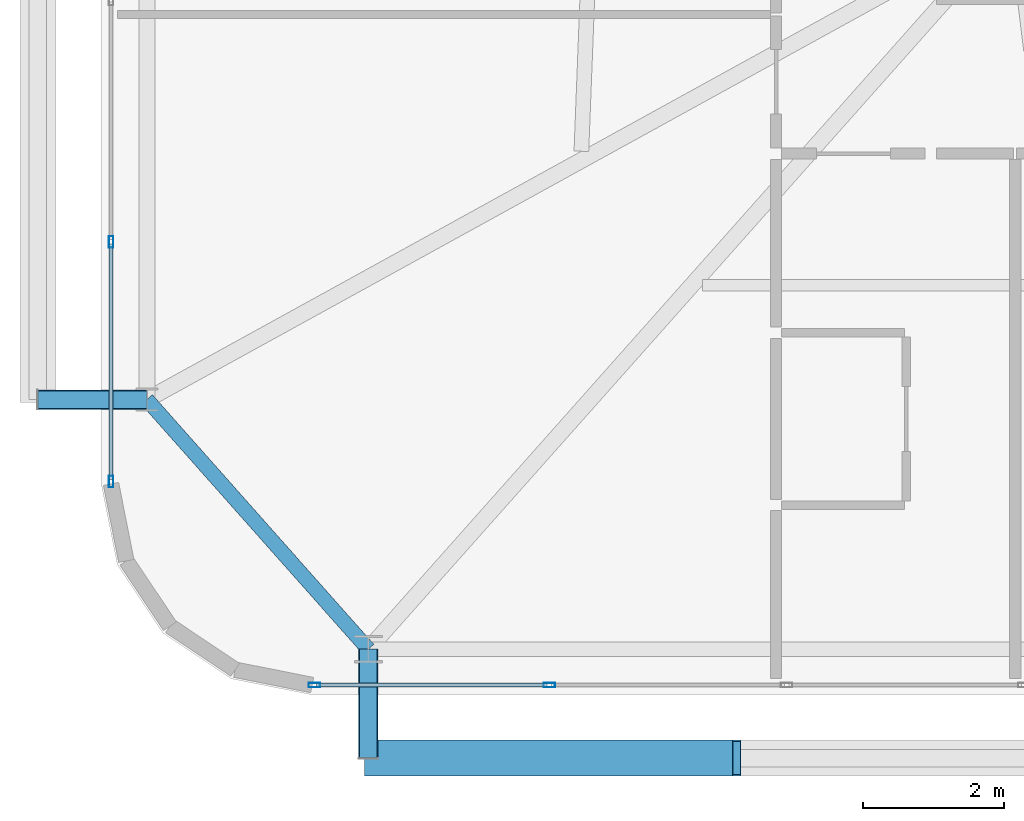
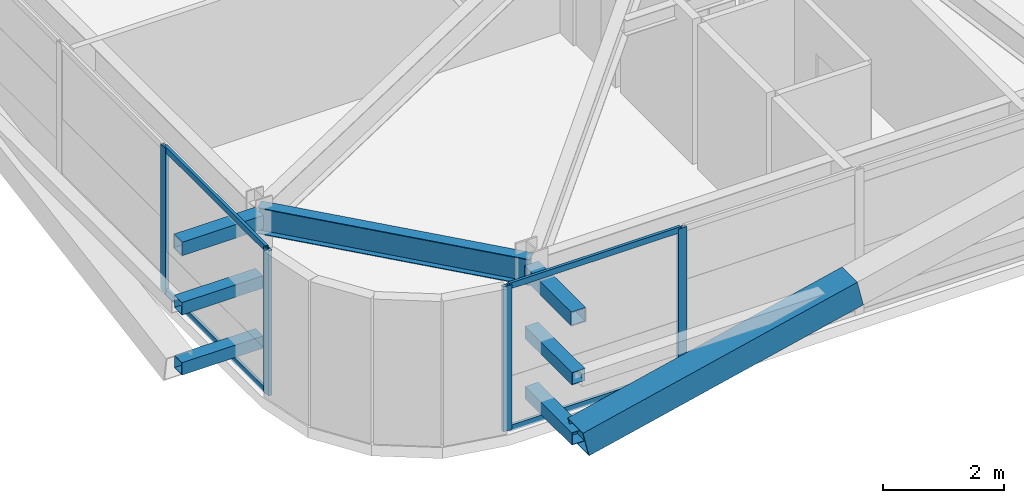
# One storey, part 5 of 59: 15 members, 1 beam, 2 elements without a shape of their own.
"""IFC4 building model written with IfcOpenShell, lengths in metres."""

from ifc_helpers import new_model, si_unit, direction, frame, origin, origin_2d, place, context, subcontext, project, spatial, hollow_rectangle, i_section, extrude, source, transform, mapped, material, layer, layer_set, material_profile, profile_set, type_object, element, aggregate, save


model = new_model("IFC4")

# Units and contexts
model_context = context("Model", 3, precision=1e-05, world=origin(), true_north=direction((0.0, 1.0)))
body_context = subcontext(model_context, "Body", "Model", "MODEL_VIEW")
ifc_project = project(units=[si_unit("LENGTHUNIT", "METRE"), si_unit("AREAUNIT", "SQUARE_METRE"), si_unit("VOLUMEUNIT", "CUBIC_METRE"), si_unit("PLANEANGLEUNIT", "RADIAN"), si_unit("MASSUNIT", "GRAM", prefix="KILO")], contexts=[model_context])

# Site, building, storey
site_placement = place(None, origin())
site = spatial("IfcSite", under=ifc_project, at=site_placement, CompositionType="ELEMENT")
building_placement = place(site_placement, origin())
building = spatial("IfcBuilding", under=site, at=building_placement, Name="Taldren Reach Tower", CompositionType="ELEMENT")
storey_placement = place(building_placement, frame((0.0, 0.0, 29.39990234375)))
storey = spatial("IfcBuildingStorey", under=building, at=storey_placement, Name="L08", CompositionType="ELEMENT", Elevation=29.39990234375)

# Beam
ifc_material_1 = material(Name="Steel Gr 350 (350PLUS)", Category="steel")
ifc_material_profile_1 = material_profile(ifc_material_1, i_section(OverallWidth=0.208984375, OverallDepth=0.528076171875, WebThickness=0.009521484375, FlangeThickness=0.01318359375, at=origin_2d()), Name="530UB82.0")
ifc_profile_set_1 = profile_set([ifc_material_profile_1], Name="Steel Gr 350 (350PLUS)")
beam_type = type_object("IfcBeamType", Name="SP-UB530B", PredefinedType="SPANDREL", material=ifc_profile_set_1)
shared_shape_1 = source(origin(), body_context, "Body", "SweptSolid", [
    extrude(i_section(OverallWidth=0.208984375, OverallDepth=0.528076171875, WebThickness=0.009521484375, FlangeThickness=0.01318359375, at=origin_2d()), origin(), (0.0, 0.0, 1.0), 4.74609375),
])
beam_placement = place(storey_placement, frame((5.64990234375, 5.699951171875, 2.666015625), z_axis=(0.663721843779, -0.747979487747, 0.0), x_axis=(0.747979487747, 0.663721843779, 0.0)))
element("IfcBeam", 1, at=beam_placement, inside=storey, type_object=beam_type, Name="Perimeter spandrel B1 W1-S1 L08", PredefinedType="SPANDREL", context=body_context, shape_type="MappedRepresentation", body=[
    mapped(shared_shape_1, transform((0.0, 0.0, 0.0), scale=1.0)),
])

# Members
ifc_material_2 = material(Name="Steel Gr 450 (C450L0)", Category="steel")
ifc_material_profile_2 = material_profile(ifc_material_2, hollow_rectangle(XDim=0.27490234375, YDim=0.27490234375, WallThickness=0.00927734375, at=origin_2d()), Name="275x275x9.3SHS")
ifc_profile_set_2 = profile_set([ifc_material_profile_2], Name="Steel Gr 450 (C450L0)")
member_type_1 = type_object("IfcMemberType", Name="MB-TIE273", PredefinedType="STRUT", material=ifc_profile_set_2)
shared_shape_2 = source(origin(), body_context, "Body", "SweptSolid", [
    extrude(hollow_rectangle(XDim=0.27490234375, YDim=0.27490234375, WallThickness=0.00927734375, at=origin_2d()), origin(), (0.0, 0.0, 1.0), 1.5498046875),
])
for number, where, z_axis, x_axis, name in (
    (2, (8.800048828125, 2.14990234375, 2.650146484375), (0.0, -1.0, 0.0), (1.0, 0.0, 0.0), "Exoskeleton diaphragm tie strut B1-S1 L08"),
    (3, (5.64990234375, 5.699951171875, 2.650146484375), (-1.0, 0.0, 0.0), (0.0, -1.0, 0.0), "Exoskeleton diaphragm tie strut B1-W1 L08"),
):
    element("IfcMember", number, at=place(storey_placement, frame(where, z_axis=z_axis, x_axis=x_axis)), inside=storey, type_object=member_type_1, Name=name, PredefinedType="STRUT", context=body_context, shape_type="MappedRepresentation", body=[
        mapped(shared_shape_2, transform((0.0, 0.0, 0.0), scale=1.0)),
    ])
ifc_material_profile_3 = material_profile(ifc_material_2, hollow_rectangle(XDim=0.510009765625, YDim=0.510009765625, WallThickness=0.02001953125, at=origin_2d()), Name="510x510x20.0SHS")
ifc_profile_set_3 = profile_set([ifc_material_profile_3], Name="Steel Gr 450 (C450L0)")
member_type_2 = type_object("IfcMemberType", Name="MB-EXO508", PredefinedType="BRACE", material=ifc_profile_set_3)
shared_shape_3 = source(origin(), body_context, "Body", "SweptSolid", [
    extrude(hollow_rectangle(XDim=0.510009765625, YDim=0.510009765625, WallThickness=0.02001953125, at=origin_2d()), origin(), (0.0, 0.0, 1.0), 5.37890625),
])
member_1_placement = place(storey_placement, frame((8.800048828125, 0.60009765625, 0.22021484375), z_axis=(0.974161966843, 0.0, 0.225850531007), x_axis=(0.0, 1.0, 0.0)))
element("IfcMember", 4, at=member_1_placement, inside=storey, type_object=member_type_2, Name="Exoskeleton Diagrid Brace B1-S1 L08", PredefinedType="BRACE", context=body_context, shape_type="MappedRepresentation", body=[
    mapped(shared_shape_3, transform((0.0, 0.0, 0.0), scale=1.0)),
])
ifc_material_3 = material(Name="Steel Gr 350 (C350L0)", Category="steel")
ifc_material_profile_4 = material_profile(ifc_material_3, hollow_rectangle(XDim=0.25, YDim=0.25, WallThickness=0.010009765625, at=origin_2d()), Name="250x250x10.0SHS")
ifc_profile_set_4 = profile_set([ifc_material_profile_4], Name="Steel Gr 350 (C350L0)")
member_type_3 = type_object("IfcMemberType", Name="MB-POST250", PredefinedType="POST", material=ifc_profile_set_4)
shared_shape_4 = source(origin(), body_context, "Body", "SweptSolid", [
    extrude(hollow_rectangle(XDim=0.25, YDim=0.25, WallThickness=0.010009765625, at=origin_2d()), origin(), (0.0, 0.0, 1.0), 1.5498046875),
])
for number, where, z_axis, x_axis, name in (
    (5, (8.800048828125, 2.14990234375, 0.22021484375), (0.0, -1.0, 0.0), (1.0, 0.0, 0.0), "Exoskeleton base diaphragm tie strut B1-S1 L08"),
    (6, (5.64990234375, 5.699951171875, 0.22021484375), (-1.0, 0.0, 0.0), (0.0, -1.0, 0.0), "Exoskeleton base diaphragm tie strut B1-W1 L08"),
    (7, (8.800048828125, 2.14990234375, 1.43505859375), (0.0, -1.0, 0.0), (1.0, 0.0, 0.0), "Exoskeleton mid-tier diaphragm tie B1-S1 L08"),
    (8, (5.64990234375, 5.699951171875, 1.43505859375), (-1.0, 0.0, 0.0), (0.0, -1.0, 0.0), "Exoskeleton mid-tier diaphragm tie B1-W1 L08"),
):
    element("IfcMember", number, at=place(storey_placement, frame(where, z_axis=z_axis, x_axis=x_axis)), inside=storey, type_object=member_type_3, Name=name, PredefinedType="POST", context=body_context, shape_type="MappedRepresentation", body=[
        mapped(shared_shape_4, transform((0.0, 0.0, 0.0), scale=1.0)),
    ])

# Curtain wall, members
ifc_material_4 = material(Name="Aluminium and Low-E Glass Unitised System", Category="aluminium")
ifc_layer = layer(ifc_material_4, 0.159912109375)
ifc_layer_set = layer_set([ifc_layer], Name="Aluminium and Low-E Glass Unitised System")
curtain_wall_type = type_object("IfcCurtainWallType", Name="CW-SYS-2", PredefinedType="NOTDEFINED", material=ifc_layer_set)
curtain_wall_1_placement = place(storey_placement, origin())
curtain_wall_1 = element("IfcCurtainWall", 9, at=curtain_wall_1_placement, inside=storey, type_object=curtain_wall_type, Name="Unitised curtain wall CW-L08-S", PredefinedType="NOTDEFINED")
ifc_material_5 = material(Name="Anodised Aluminium 6063-T6", Category="aluminium")
ifc_material_profile_5 = material_profile(ifc_material_5, hollow_rectangle(XDim=0.054931640625, YDim=0.1201171875, WallThickness=0.0029296875, at=origin_2d()), Name="ALU-120x55x3RHS")
ifc_profile_set_5 = profile_set([ifc_material_profile_5], Name="Anodised Aluminium 6063-T6")
member_type_4 = type_object("IfcMemberType", Name="CW-TRN-135", PredefinedType="USERDEFINED", material=ifc_profile_set_5)
shared_shape_5 = source(origin(), body_context, "Body", "SweptSolid", [
    extrude(hollow_rectangle(XDim=0.054931640625, YDim=0.1201171875, WallThickness=0.0029296875, at=origin_2d()), origin(), (0.0, 0.0, 1.0), 3.277587890625),
])
member_2_placement = place(storey_placement, frame((8.06494140625, 1.639892578125, 0.027587890625), z_axis=(1.0, 0.0, 0.0), x_axis=(0.0, 1.0, 0.0)))
member_2 = element("IfcMember", 10, at=member_2_placement, type_object=member_type_4, Name="CW-2 transom 1.1", ObjectType="TRANSOM", PredefinedType="USERDEFINED", context=body_context, shape_type="MappedRepresentation", body=[
    mapped(shared_shape_5, transform((0.0, 0.0, 0.0), scale=1.0)),
])
member_3_placement = place(storey_placement, frame((8.06494140625, 1.639892578125, 2.902587890625), z_axis=(1.0, 0.0, 0.0), x_axis=(0.0, 1.0, 0.0)))
member_3 = element("IfcMember", 11, at=member_3_placement, type_object=member_type_4, Name="CW-2 transom 1.2", ObjectType="TRANSOM", PredefinedType="USERDEFINED", context=body_context, shape_type="MappedRepresentation", body=[
    mapped(shared_shape_5, transform((0.0, 0.0, 0.0), scale=1.0)),
])

curtain_wall_2_placement = place(storey_placement, origin())
curtain_wall_2 = element("IfcCurtainWall", 12, at=curtain_wall_2_placement, inside=storey, type_object=curtain_wall_type, Name="Unitised curtain wall CW-L08-W", PredefinedType="NOTDEFINED")
shared_shape_6 = source(origin(), body_context, "Body", "SweptSolid", [
    extrude(hollow_rectangle(XDim=0.054931640625, YDim=0.1201171875, WallThickness=0.0029296875, at=origin_2d()), origin(), (0.0, 0.0, 1.0), 3.346923828125),
])
member_4_placement = place(storey_placement, frame((5.139892578125, 7.911865234375, 0.027587890625), z_axis=(0.0, -1.0, 0.0), x_axis=(1.0, 0.0, 0.0)))
member_4 = element("IfcMember", 13, at=member_4_placement, type_object=member_type_4, Name="CW-2 transom 9.1", ObjectType="TRANSOM", PredefinedType="USERDEFINED", context=body_context, shape_type="MappedRepresentation", body=[
    mapped(shared_shape_6, transform((0.0, 0.0, 0.0), scale=1.0)),
])
member_5_placement = place(storey_placement, frame((5.139892578125, 7.911865234375, 2.902587890625), z_axis=(0.0, -1.0, 0.0), x_axis=(1.0, 0.0, 0.0)))
member_5 = element("IfcMember", 14, at=member_5_placement, type_object=member_type_4, Name="CW-2 transom 9.2", ObjectType="TRANSOM", PredefinedType="USERDEFINED", context=body_context, shape_type="MappedRepresentation", body=[
    mapped(shared_shape_6, transform((0.0, 0.0, 0.0), scale=1.0)),
])

# Member
ifc_material_profile_6 = material_profile(ifc_material_5, hollow_rectangle(XDim=0.06494140625, YDim=0.1650390625, WallThickness=0.00390625, at=origin_2d()), Name="ALU-165x65x4RHS")
ifc_profile_set_6 = profile_set([ifc_material_profile_6], Name="Anodised Aluminium 6063-T6")
member_type_5 = type_object("IfcMemberType", Name="CW-MUL-165", PredefinedType="MULLION", material=ifc_profile_set_6)
shared_shape_7 = source(origin(), body_context, "Body", "SweptSolid", [
    extrude(hollow_rectangle(XDim=0.06494140625, YDim=0.1650390625, WallThickness=0.00390625, at=origin_2d()), origin(), (0.0, 0.0, 1.0), 2.93017578125),
])
member_6_placement = place(storey_placement, frame((8.032470703125, 1.639892578125, 0.0), z_axis=(0.0, 0.0, 1.0), x_axis=(0.0, 1.0, 0.0)))
member_6 = element("IfcMember", 15, at=member_6_placement, type_object=member_type_5, Name="CW-2 mullion 1", PredefinedType="MULLION", context=body_context, shape_type="MappedRepresentation", body=[
    mapped(shared_shape_7, transform((0.0, 0.0, 0.0), scale=1.0)),
])

member_7_placement = place(storey_placement, frame((11.375, 1.639892578125, 0.0), z_axis=(0.0, 0.0, 1.0), x_axis=(0.0, 1.0, 0.0)))
member_7 = element("IfcMember", 16, at=member_7_placement, type_object=member_type_5, Name="CW-2 mullion 2", PredefinedType="MULLION", context=body_context, shape_type="MappedRepresentation", body=[
    mapped(shared_shape_7, transform((0.0, 0.0, 0.0), scale=1.0)),
])

aggregate(curtain_wall_1, [member_6, member_7, member_2, member_3])

member_8_placement = place(storey_placement, frame((5.139892578125, 7.9443359375, 0.0), z_axis=(0.0, 0.0, 1.0), x_axis=(1.0, 0.0, 0.0)))
member_8 = element("IfcMember", 17, at=member_8_placement, type_object=member_type_5, Name="CW-2 mullion 9", PredefinedType="MULLION", context=body_context, shape_type="MappedRepresentation", body=[
    mapped(shared_shape_7, transform((0.0, 0.0, 0.0), scale=1.0)),
])

member_9_placement = place(storey_placement, frame((5.139892578125, 4.532470703125, 0.0), z_axis=(0.0, 0.0, 1.0), x_axis=(1.0, 0.0, 0.0)))
member_9 = element("IfcMember", 18, at=member_9_placement, type_object=member_type_5, Name="CW-2 mullion 10", PredefinedType="MULLION", context=body_context, shape_type="MappedRepresentation", body=[
    mapped(shared_shape_7, transform((0.0, 0.0, 0.0), scale=1.0)),
])

aggregate(curtain_wall_2, [member_8, member_9, member_4, member_5])

save(model, "model.ifc")
